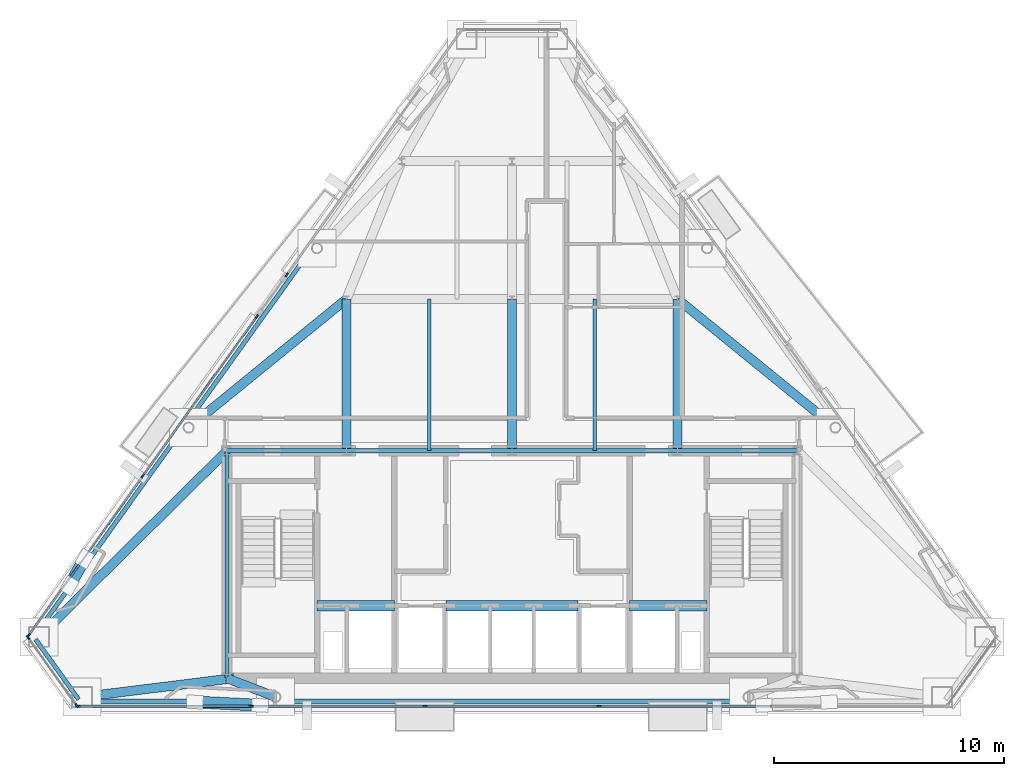
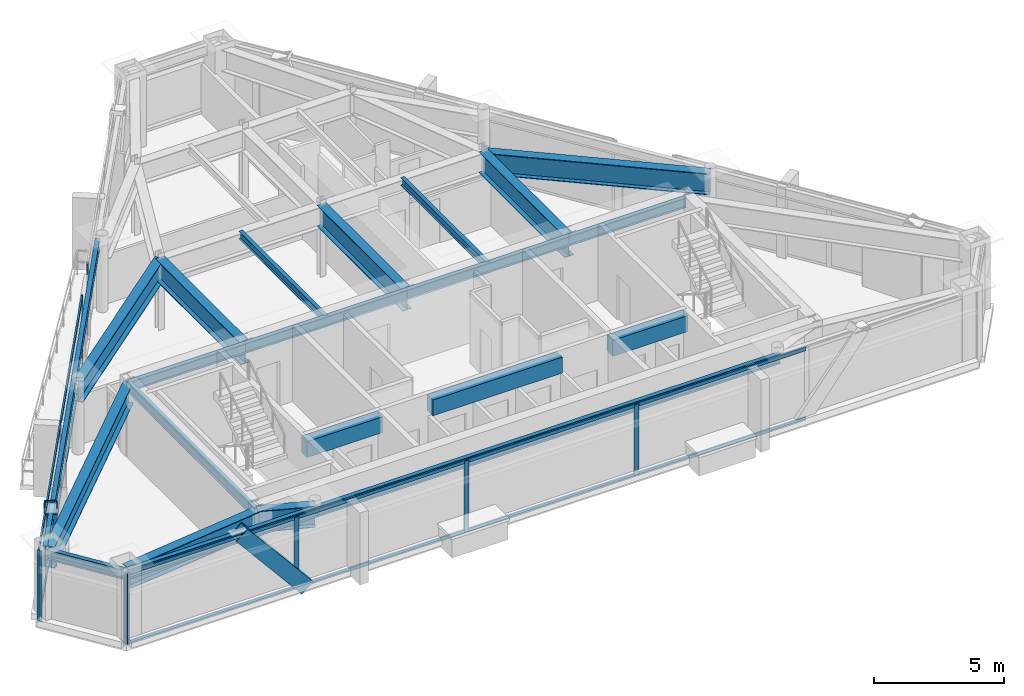
# One storey, part 4 of 11: 24 members, 23 beams, 4 elements without a shape of their own.
"""IFC4 building model written with IfcOpenShell, lengths in metres."""

from ifc_helpers import new_model, si_unit, direction, frame, origin, origin_2d, place, context, subcontext, project, spatial, rectangle, hollow_rectangle, i_section, extrude, material, layer, layer_set, material_profile, profile_set, type_object, element, aggregate, save


model = new_model("IFC4")

# Units and contexts
model_context = context("Model", 3, precision=1e-05, world=origin(), true_north=direction((0.0, 1.0)))
body_context = subcontext(model_context, "Body", "Model", "MODEL_VIEW")
ifc_project = project(units=[si_unit("LENGTHUNIT", "METRE"), si_unit("AREAUNIT", "SQUARE_METRE"), si_unit("VOLUMEUNIT", "CUBIC_METRE"), si_unit("PLANEANGLEUNIT", "RADIAN"), si_unit("MASSUNIT", "GRAM", prefix="KILO")], contexts=[model_context])

# Site, building, storey
site_placement = place(None, origin())
site = spatial("IfcSite", under=ifc_project, at=site_placement, CompositionType="ELEMENT")
building_placement = place(site_placement, origin())
building = spatial("IfcBuilding", under=site, at=building_placement, Name="Talgorran Terracotta Tower", CompositionType="ELEMENT")
storey_placement = place(building_placement, frame((0.0, 0.0, 274.199951171875)))
storey = spatial("IfcBuildingStorey", under=building, at=storey_placement, Name="L72", CompositionType="ELEMENT", Elevation=274.199951171875)

# Beams
ifc_material_1 = material(Name="Steel Grade 350 (350L0)", Category="steel")
ifc_material_profile_1 = material_profile(ifc_material_1, i_section(OverallWidth=0.39990234375, OverallDepth=1.0, WebThickness=0.01611328125, FlangeThickness=0.031005859375, at=origin_2d()), Name="1000WB296")
ifc_profile_set_1 = profile_set([ifc_material_profile_1], Name="Steel Grade 350 (350L0)")
beam_type_1 = type_object("IfcBeamType", Name="BM_1000WB296", PredefinedType="BEAM", material=ifc_profile_set_1)
beam_1_placement = place(storey_placement, frame((-10.29296875, -14.9189453125, 2.844970703125), z_axis=(-0.932081672707, 0.362248195859, 0.0), x_axis=(-0.362248195859, -0.932081672707, 0.0)))
element("IfcBeam", 1, at=beam_1_placement, inside=storey, type_object=beam_type_1, Name="L72 South-West Core Tie Beam", PredefinedType="BEAM", context=body_context, shape_type="SweptSolid", body=[
    extrude(i_section(OverallWidth=0.39990234375, OverallDepth=1.0, WebThickness=0.01611328125, FlangeThickness=0.031005859375, at=origin_2d()), origin(), (0.0, 0.0, 1.0), 2.260498046875),
])
beam_2_placement = place(storey_placement, frame((-18.71435546875, -14.9189453125, 2.844970703125), z_axis=(0.992423710786, 0.122862436364, 0.0), x_axis=(-0.122862436364, 0.992423710786, 0.0)))
element("IfcBeam", 2, at=beam_2_placement, inside=storey, type_object=beam_type_1, Name="L72 Perimeter Step Girder 2", PredefinedType="BEAM", context=body_context, shape_type="SweptSolid", body=[
    extrude(i_section(OverallWidth=0.39990234375, OverallDepth=1.0, WebThickness=0.01611328125, FlangeThickness=0.031005859375, at=origin_2d()), origin(), (0.0, 0.0, 1.0), 6.664794921875),
])
for number, where, z_axis, x_axis, name in (
    (3, (-7.199951171875, -4.199951171875, 2.844970703125), (0.0, 1.0, 0.0), (-1.0, 0.0, 0.0), "L72 Floor Girder G01"),
    (4, (0.0, -4.199951171875, 2.844970703125), (0.0, 1.0, 0.0), (-1.0, 0.0, 0.0), "L72 Floor Girder G02"),
    (5, (7.199951171875, -4.199951171875, 2.844970703125), (0.0, 1.0, 0.0), (-1.0, 0.0, 0.0), "L72 Floor Girder G03"),
):
    element("IfcBeam", number, at=place(storey_placement, frame(where, z_axis=z_axis, x_axis=x_axis)), inside=storey, type_object=beam_type_1, Name=name, PredefinedType="BEAM", context=body_context, shape_type="SweptSolid", body=[
        extrude(i_section(OverallWidth=0.39990234375, OverallDepth=1.0, WebThickness=0.01611328125, FlangeThickness=0.031005859375, at=origin_2d()), origin(), (0.0, 0.0, 1.0), 6.599853515625),
    ])
for number, where, z_axis, x_axis, name in (
    (6, (-7.199951171875, 2.39990234375, 2.844970703125), (-0.775393850299, -0.631477930667, 0.0), (0.631477930667, -0.775393850299, 0.0), "L72 Floor Girder G06"),
    (7, (7.199951171875, 2.39990234375, 2.844970703125), (0.775393850299, -0.631477930667, 0.0), (0.631477930667, 0.775393850299, 0.0), "L72 Floor Girder G07"),
):
    element("IfcBeam", number, at=place(storey_placement, frame(where, z_axis=z_axis, x_axis=x_axis)), inside=storey, type_object=beam_type_1, Name=name, PredefinedType="BEAM", context=body_context, shape_type="SweptSolid", body=[
        extrude(i_section(OverallWidth=0.39990234375, OverallDepth=1.0, WebThickness=0.01611328125, FlangeThickness=0.031005859375, at=origin_2d()), origin(), (0.0, 0.0, 1.0), 8.862060546875),
    ])
beam_3_placement = place(storey_placement, frame((-12.39990234375, -4.199951171875, 2.844970703125), z_axis=(-0.710637755688, -0.703558085868, 0.0), x_axis=(0.703558085868, -0.710637755688, 0.0)))
element("IfcBeam", 8, at=beam_3_placement, inside=storey, type_object=beam_type_1, Name="L72 Floor Girder G17", PredefinedType="BEAM", context=body_context, shape_type="SweptSolid", body=[
    extrude(i_section(OverallWidth=0.39990234375, OverallDepth=1.0, WebThickness=0.01611328125, FlangeThickness=0.031005859375, at=origin_2d()), origin(), (0.0, 0.0, 1.0), 11.517822265625),
])
ifc_material_2 = material(Name="Concrete C50/60", Category="concrete")
ifc_material_profile_2 = material_profile(ifc_material_2, rectangle(XDim=0.449951171875, YDim=0.75, at=origin_2d()), Name="RCCB450X750")
ifc_profile_set_2 = profile_set([ifc_material_profile_2], Name="Concrete C50/60")
beam_type_2 = type_object("IfcBeamType", Name="BM_CB_450X750", PredefinedType="LINTEL", material=ifc_profile_set_2)
beam_4_placement = place(storey_placement, frame((-8.47998046875, -10.949951171875, 2.969970703125), z_axis=(1.0, 0.0, 0.0), x_axis=(0.0, 1.0, 0.0)))
element("IfcBeam", 9, at=beam_4_placement, inside=storey, type_object=beam_type_2, Name="L72 Core Shear-Wall Coupling Beam CB1", PredefinedType="LINTEL", context=body_context, shape_type="SweptSolid", body=[
    extrude(rectangle(XDim=0.449951171875, YDim=0.75, at=origin_2d()), origin(), (0.0, 0.0, 1.0), 3.35986328125),
])
beam_5_placement = place(storey_placement, frame((-2.8798828125, -10.949951171875, 2.969970703125), z_axis=(1.0, 0.0, 0.0), x_axis=(0.0, 1.0, 0.0)))
element("IfcBeam", 10, at=beam_5_placement, inside=storey, type_object=beam_type_2, Name="L72 Core Shear-Wall Coupling Beam CB2", PredefinedType="LINTEL", context=body_context, shape_type="SweptSolid", body=[
    extrude(rectangle(XDim=0.449951171875, YDim=0.75, at=origin_2d()), origin(), (0.0, 0.0, 1.0), 5.759765625),
])
beam_6_placement = place(storey_placement, frame((5.1201171875, -10.949951171875, 2.969970703125), z_axis=(1.0, 0.0, 0.0), x_axis=(0.0, 1.0, 0.0)))
element("IfcBeam", 11, at=beam_6_placement, inside=storey, type_object=beam_type_2, Name="L72 Core Shear-Wall Coupling Beam CB3", PredefinedType="LINTEL", context=body_context, shape_type="SweptSolid", body=[
    extrude(rectangle(XDim=0.449951171875, YDim=0.75, at=origin_2d()), origin(), (0.0, 0.0, 1.0), 3.35986328125),
])
ifc_material_3 = material(Name="Steel S355 (300PLUS)", Category="steel")
ifc_material_profile_3 = material_profile(ifc_material_3, i_section(OverallWidth=0.17138671875, OverallDepth=0.355712890625, WebThickness=0.00732421875, FlangeThickness=0.011474609375, at=origin_2d()), Name="360UB50.7")
ifc_profile_set_3 = profile_set([ifc_material_profile_3], Name="Steel S355 (300PLUS)")
beam_type_3 = type_object("IfcBeamType", Name="BM_JS_360UB51", PredefinedType="JOIST", material=ifc_profile_set_3)
for number, where, z_axis, x_axis, name in (
    (12, (-3.60009765625, -4.199951171875, 3.167236328125), (0.0, 1.0, 0.0), (-1.0, 0.0, 0.0), "L72 Secondary Joist J01"),
    (13, (3.60009765625, -4.199951171875, 3.167236328125), (0.0, 1.0, 0.0), (-1.0, 0.0, 0.0), "L72 Secondary Joist J02"),
):
    element("IfcBeam", number, at=place(storey_placement, frame(where, z_axis=z_axis, x_axis=x_axis)), inside=storey, type_object=beam_type_3, Name=name, PredefinedType="JOIST", context=body_context, shape_type="SweptSolid", body=[
        extrude(i_section(OverallWidth=0.17138671875, OverallDepth=0.355712890625, WebThickness=0.00732421875, FlangeThickness=0.011474609375, at=origin_2d()), origin(), (0.0, 0.0, 1.0), 6.599853515625),
    ])
ifc_material_profile_4 = material_profile(ifc_material_3, i_section(OverallWidth=0.18994140625, OverallDepth=0.45703125, WebThickness=0.009033203125, FlangeThickness=0.014404296875, at=origin_2d()), Name="460UB74.6")
ifc_profile_set_4 = profile_set([ifc_material_profile_4], Name="Steel S355 (300PLUS)")
beam_type_4 = type_object("IfcBeamType", Name="BM_SP_460UB74", PredefinedType="SPANDREL", material=ifc_profile_set_4)
beam_7_placement = place(storey_placement, frame((-20.731201171875, -12.408203125, 3.116455078125), z_axis=(0.581733647308, -0.8133793479, 0.0), x_axis=(0.8133793479, 0.581733647308, 0.0)))
element("IfcBeam", 14, at=beam_7_placement, inside=storey, type_object=beam_type_4, Name="L72 Perimeter Spandrel Beam MC1-MC2", PredefinedType="SPANDREL", context=body_context, shape_type="SweptSolid", body=[
    extrude(i_section(OverallWidth=0.18994140625, OverallDepth=0.45703125, WebThickness=0.009033203125, FlangeThickness=0.014404296875, at=origin_2d()), origin(), (0.0, 0.0, 1.0), 3.215576171875),
])
beam_8_placement = place(storey_placement, frame((-18.71435546875, -15.098876953125, 3.116455078125), z_axis=(1.0, 0.0, 0.0), x_axis=(0.0, 1.0, 0.0)))
element("IfcBeam", 15, at=beam_8_placement, inside=storey, type_object=beam_type_4, Name="L72 Perimeter Spandrel Beam MC2-FC1", PredefinedType="SPANDREL", context=body_context, shape_type="SweptSolid", body=[
    extrude(i_section(OverallWidth=0.18994140625, OverallDepth=0.45703125, WebThickness=0.009033203125, FlangeThickness=0.014404296875, at=origin_2d()), origin(), (0.0, 0.0, 1.0), 8.42138671875),
])
beam_9_placement = place(storey_placement, frame((-10.29296875, -15.098876953125, 3.116455078125), z_axis=(1.0, 0.0, 0.0), x_axis=(0.0, 1.0, 0.0)))
element("IfcBeam", 16, at=beam_9_placement, inside=storey, type_object=beam_type_4, Name="L72 Perimeter Spandrel Beam FC1-FC2", PredefinedType="SPANDREL", context=body_context, shape_type="SweptSolid", body=[
    extrude(i_section(OverallWidth=0.18994140625, OverallDepth=0.45703125, WebThickness=0.009033203125, FlangeThickness=0.014404296875, at=origin_2d()), origin(), (0.0, 0.0, 1.0), 20.5859375),
])
beam_10_placement = place(storey_placement, frame((-8.635009765625, 4.71435546875, 3.116455078125), z_axis=(-0.581733798122, -0.813379240037, 0.0), x_axis=(0.813379240037, -0.581733798122, 0.0)))
element("IfcBeam", 17, at=beam_10_placement, inside=storey, type_object=beam_type_4, Name="L72 Perimeter Spandrel Beam FC5-FC6", PredefinedType="SPANDREL", context=body_context, shape_type="SweptSolid", body=[
    extrude(i_section(OverallWidth=0.18994140625, OverallDepth=0.45703125, WebThickness=0.009033203125, FlangeThickness=0.014404296875, at=origin_2d()), origin(), (0.0, 0.0, 1.0), 9.59716796875),
])
beam_11_placement = place(storey_placement, frame((-14.218017578125, -3.091796875, 3.116455078125), z_axis=(-0.581724880889, -0.813385617622, 0.0), x_axis=(0.813385617622, -0.581724880889, 0.0)))
element("IfcBeam", 18, at=beam_11_placement, inside=storey, type_object=beam_type_4, Name="L72 Perimeter Spandrel Beam FC6-MC1", PredefinedType="SPANDREL", context=body_context, shape_type="SweptSolid", body=[
    extrude(i_section(OverallWidth=0.18994140625, OverallDepth=0.45703125, WebThickness=0.009033203125, FlangeThickness=0.014404296875, at=origin_2d()), origin(), (0.0, 0.0, 1.0), 11.1962890625),
])
beam_12_placement = place(storey_placement, frame((-12.39990234375, -14.10009765625, 3.116455078125), z_axis=(0.0, 1.0, 0.0), x_axis=(-1.0, 0.0, 0.0)))
element("IfcBeam", 19, at=beam_12_placement, inside=storey, type_object=beam_type_4, Name="L72 Core Frame Beam CFW", PredefinedType="SPANDREL", context=body_context, shape_type="SweptSolid", body=[
    extrude(i_section(OverallWidth=0.18994140625, OverallDepth=0.45703125, WebThickness=0.009033203125, FlangeThickness=0.014404296875, at=origin_2d()), origin(), (0.0, 0.0, 1.0), 9.900146484375),
])
beam_13_placement = place(storey_placement, frame((-12.39990234375, -4.199951171875, 3.116455078125), z_axis=(1.0, 0.0, 0.0), x_axis=(0.0, 1.0, 0.0)))
element("IfcBeam", 20, at=beam_13_placement, inside=storey, type_object=beam_type_4, Name="L72 Core Frame Beam CFN1", PredefinedType="SPANDREL", context=body_context, shape_type="SweptSolid", body=[
    extrude(i_section(OverallWidth=0.18994140625, OverallDepth=0.45703125, WebThickness=0.009033203125, FlangeThickness=0.014404296875, at=origin_2d()), origin(), (0.0, 0.0, 1.0), 5.199951171875),
])
for number, where, z_axis, x_axis, name in (
    (21, (-7.199951171875, -4.199951171875, 3.116455078125), (1.0, 0.0, 0.0), (0.0, 1.0, 0.0), "L72 Core Frame Beam CFN2"),
    (22, (0.0, -4.199951171875, 3.116455078125), (1.0, 0.0, 0.0), (0.0, 1.0, 0.0), "L72 Core Frame Beam CFN3"),
):
    element("IfcBeam", number, at=place(storey_placement, frame(where, z_axis=z_axis, x_axis=x_axis)), inside=storey, type_object=beam_type_4, Name=name, PredefinedType="SPANDREL", context=body_context, shape_type="SweptSolid", body=[
        extrude(i_section(OverallWidth=0.18994140625, OverallDepth=0.45703125, WebThickness=0.009033203125, FlangeThickness=0.014404296875, at=origin_2d()), origin(), (0.0, 0.0, 1.0), 7.199951171875),
    ])
beam_14_placement = place(storey_placement, frame((7.199951171875, -4.199951171875, 3.116455078125), z_axis=(1.0, 0.0, 0.0), x_axis=(0.0, 1.0, 0.0)))
element("IfcBeam", 23, at=beam_14_placement, inside=storey, type_object=beam_type_4, Name="L72 Core Frame Beam CFN4", PredefinedType="SPANDREL", context=body_context, shape_type="SweptSolid", body=[
    extrude(i_section(OverallWidth=0.18994140625, OverallDepth=0.45703125, WebThickness=0.009033203125, FlangeThickness=0.014404296875, at=origin_2d()), origin(), (0.0, 0.0, 1.0), 5.199951171875),
])

# Members
ifc_material_profile_5 = material_profile(ifc_material_1, hollow_rectangle(XDim=0.52001953125, YDim=0.659912109375, WallThickness=0.034912109375, at=origin_2d()), Name="WBOX660X520X35")
ifc_profile_set_5 = profile_set([ifc_material_profile_5], Name="Steel Grade 350 (350L0)")
member_type_1 = type_object("IfcMemberType", Name="MB_MEGA_660", PredefinedType="BRACE", material=ifc_profile_set_5)
member_1_placement = place(storey_placement, frame((-10.961669921875, -15.27880859375, -0.02490234375), z_axis=(-0.641393938634, 0.032576814862, 0.766519775751), x_axis=(-0.050725264119, -0.998712645149, 0.0)))
element("IfcMember", 24, at=member_1_placement, inside=storey, type_object=member_type_1, Name="L72 Exterior Face Mega-Brace MB-3 (SWF)", PredefinedType="BRACE", context=body_context, shape_type="SweptSolid", body=[
    extrude(hollow_rectangle(XDim=0.52001953125, YDim=0.659912109375, WallThickness=0.034912109375, at=origin_2d()), origin(), (0.0, 0.0, 1.0), 4.42919921875),
])
member_2_placement = place(storey_placement, frame((-18.593505859375, -8.900390625, -0.02490234375), z_axis=(-0.182497886577, -0.322176905916, 0.92892225869), x_axis=(0.870102136053, -0.492871456707, 0.0)))
element("IfcMember", 25, at=member_2_placement, inside=storey, type_object=member_type_1, Name="L72 Exterior Face Mega-Brace MB-3 (NWL)", PredefinedType="BRACE", context=body_context, shape_type="SweptSolid", body=[
    extrude(hollow_rectangle(XDim=0.52001953125, YDim=0.659912109375, WallThickness=0.034912109375, at=origin_2d()), origin(), (0.0, 0.0, 1.0), 3.65478515625),
])

# Curtain wall, members
ifc_material_4 = material(Name="High-Wind Unitised Glazing", Category="glass")
ifc_layer = layer(ifc_material_4, 0.2099609375, Name="CW_SYS3_RES_HIGH")
ifc_layer_set = layer_set([ifc_layer], Name="High-Wind Unitised Glazing")
curtain_wall_type = type_object("IfcCurtainWallType", Name="CW_SYS3_RES_HIGH", PredefinedType="NOTDEFINED", material=ifc_layer_set)
curtain_wall_1_placement = place(storey_placement, origin())
curtain_wall_1 = element("IfcCurtainWall", 26, at=curtain_wall_1_placement, inside=storey, type_object=curtain_wall_type, Name="CW-L72-F0", PredefinedType="NOTDEFINED")
ifc_material_5 = material(Name="Architectural Aluminium 6063-T6", Category="aluminium")
ifc_material_profile_6 = material_profile(ifc_material_5, rectangle(XDim=0.070068359375, YDim=0.199951171875, at=origin_2d()), Name="CWM70X200")
ifc_profile_set_6 = profile_set([ifc_material_profile_6], Name="Architectural Aluminium 6063-T6")
member_type_2 = type_object("IfcMemberType", Name="MUL_70X200", PredefinedType="MULLION", material=ifc_profile_set_6)
member_3_placement = place(storey_placement, frame((-21.056396484375, -12.33203125, 0.0), z_axis=(0.0, 0.0, 1.0), x_axis=(0.813370623345, 0.581745845777, 0.0)))
member_3 = element("IfcMember", 27, at=member_3_placement, type_object=member_type_2, Name="CW-L72-0 mullion 1", PredefinedType="MULLION", context=body_context, shape_type="SweptSolid", body=[
    extrude(rectangle(XDim=0.070068359375, YDim=0.199951171875, at=origin_2d()), origin(), (0.0, 0.0, 1.0), 3.344970703125),
])
member_4_placement = place(storey_placement, frame((-18.9404296875, -15.29052734375, 0.0), z_axis=(0.0, 0.0, 1.0), x_axis=(0.813370623345, 0.581745845777, 0.0)))
member_4 = element("IfcMember", 28, at=member_4_placement, type_object=member_type_2, Name="CW-L72-0 mullion 2", PredefinedType="MULLION", context=body_context, shape_type="SweptSolid", body=[
    extrude(rectangle(XDim=0.070068359375, YDim=0.199951171875, at=origin_2d()), origin(), (0.0, 0.0, 1.0), 3.344970703125),
])
aggregate(curtain_wall_1, [member_3, member_4])

curtain_wall_2_placement = place(storey_placement, origin())
curtain_wall_2 = element("IfcCurtainWall", 29, at=curtain_wall_2_placement, inside=storey, type_object=curtain_wall_type, Name="CW-L72-F1", PredefinedType="NOTDEFINED")
member_5_placement = place(storey_placement, frame((-18.885009765625, -15.31884765625, 0.0), z_axis=(0.0, 0.0, 1.0), x_axis=(0.0, 1.0, 0.0)))
member_5 = element("IfcMember", 30, at=member_5_placement, type_object=member_type_2, Name="CW-L72-1 mullion 1", PredefinedType="MULLION", context=body_context, shape_type="SweptSolid", body=[
    extrude(rectangle(XDim=0.070068359375, YDim=0.199951171875, at=origin_2d()), origin(), (0.0, 0.0, 1.0), 3.344970703125),
])
member_6_placement = place(storey_placement, frame((-11.35205078125, -15.31884765625, 0.0), z_axis=(0.0, 0.0, 1.0), x_axis=(0.0, 1.0, 0.0)))
member_6 = element("IfcMember", 31, at=member_6_placement, type_object=member_type_2, Name="CW-L72-1 mullion 2", PredefinedType="MULLION", context=body_context, shape_type="SweptSolid", body=[
    extrude(rectangle(XDim=0.070068359375, YDim=0.199951171875, at=origin_2d()), origin(), (0.0, 0.0, 1.0), 3.344970703125),
])
member_7_placement = place(storey_placement, frame((-3.783935546875, -15.31884765625, 0.0), z_axis=(0.0, 0.0, 1.0), x_axis=(0.0, 1.0, 0.0)))
member_7 = element("IfcMember", 32, at=member_7_placement, type_object=member_type_2, Name="CW-L72-1 mullion 3", PredefinedType="MULLION", context=body_context, shape_type="SweptSolid", body=[
    extrude(rectangle(XDim=0.070068359375, YDim=0.199951171875, at=origin_2d()), origin(), (0.0, 0.0, 1.0), 3.344970703125),
])
member_8_placement = place(storey_placement, frame((3.783935546875, -15.31884765625, 0.0), z_axis=(0.0, 0.0, 1.0), x_axis=(0.0, 1.0, 0.0)))
member_8 = element("IfcMember", 33, at=member_8_placement, type_object=member_type_2, Name="CW-L72-1 mullion 4", PredefinedType="MULLION", context=body_context, shape_type="SweptSolid", body=[
    extrude(rectangle(XDim=0.070068359375, YDim=0.199951171875, at=origin_2d()), origin(), (0.0, 0.0, 1.0), 3.344970703125),
])

# Curtain wall, member
curtain_wall_3_placement = place(storey_placement, origin())
curtain_wall_3 = element("IfcCurtainWall", 34, at=curtain_wall_3_placement, inside=storey, type_object=curtain_wall_type, Name="CW-L72-F60", PredefinedType="NOTDEFINED")
member_9_placement = place(storey_placement, frame((-9.8046875, 3.457275390625, 0.0), z_axis=(0.0, 0.0, 1.0), x_axis=(0.813381052188, -0.581731264367, 0.0)))
member_9 = element("IfcMember", 35, at=member_9_placement, type_object=member_type_2, Name="CW-L72-60 mullion 3", PredefinedType="MULLION", context=body_context, shape_type="SweptSolid", body=[
    extrude(rectangle(XDim=0.070068359375, YDim=0.199951171875, at=origin_2d()), origin(), (0.0, 0.0, 1.0), 3.344970703125),
])
aggregate(curtain_wall_3, [member_9])

# Curtain wall, members
curtain_wall_4_placement = place(storey_placement, origin())
curtain_wall_4 = element("IfcCurtainWall", 36, at=curtain_wall_4_placement, inside=storey, type_object=curtain_wall_type, Name="CW-L72-F61", PredefinedType="NOTDEFINED")
member_10_placement = place(storey_placement, frame((-11.101806640625, 1.643310546875, 0.0), z_axis=(0.0, 0.0, 1.0), x_axis=(0.813381329053, -0.581730877251, 0.0)))
member_10 = element("IfcMember", 37, at=member_10_placement, type_object=member_type_2, Name="CW-L72-61 mullion 1", PredefinedType="MULLION", context=body_context, shape_type="SweptSolid", body=[
    extrude(rectangle(XDim=0.070068359375, YDim=0.199951171875, at=origin_2d()), origin(), (0.0, 0.0, 1.0), 3.344970703125),
])
member_11_placement = place(storey_placement, frame((-16.0673828125, -5.299560546875, 0.0), z_axis=(0.0, 0.0, 1.0), x_axis=(0.813381329053, -0.581730877251, 0.0)))
member_11 = element("IfcMember", 38, at=member_11_placement, type_object=member_type_2, Name="CW-L72-61 mullion 2", PredefinedType="MULLION", context=body_context, shape_type="SweptSolid", body=[
    extrude(rectangle(XDim=0.070068359375, YDim=0.199951171875, at=origin_2d()), origin(), (0.0, 0.0, 1.0), 3.344970703125),
])
member_12_placement = place(storey_placement, frame((-21.032958984375, -12.242431640625, 0.0), z_axis=(0.0, 0.0, 1.0), x_axis=(0.813381329053, -0.581730877251, 0.0)))
member_12 = element("IfcMember", 39, at=member_12_placement, type_object=member_type_2, Name="CW-L72-61 mullion 3", PredefinedType="MULLION", context=body_context, shape_type="SweptSolid", body=[
    extrude(rectangle(XDim=0.070068359375, YDim=0.199951171875, at=origin_2d()), origin(), (0.0, 0.0, 1.0), 3.344970703125),
])

# Member
ifc_material_profile_7 = material_profile(ifc_material_5, rectangle(XDim=0.070068359375, YDim=0.159912109375, at=origin_2d()), Name="CWT70X160")
ifc_profile_set_7 = profile_set([ifc_material_profile_7], Name="Architectural Aluminium 6063-T6")
member_type_3 = type_object("IfcMemberType", Name="TRN_70X160", PredefinedType="USERDEFINED", material=ifc_profile_set_7)
member_13_placement = place(storey_placement, frame((-18.85009765625, -15.31884765625, 0.03515625), z_axis=(1.0, 0.0, 0.0), x_axis=(0.0, 1.0, 0.0)))
member_13 = element("IfcMember", 40, at=member_13_placement, type_object=member_type_3, Name="CW-L72-1 transom 1.1", ObjectType="TRANSOM", PredefinedType="USERDEFINED", context=body_context, shape_type="SweptSolid", body=[
    extrude(rectangle(XDim=0.070068359375, YDim=0.159912109375, at=origin_2d()), origin(), (0.0, 0.0, 1.0), 7.463134765625),
])

member_14_placement = place(storey_placement, frame((-18.85009765625, -15.31884765625, 3.31005859375), z_axis=(1.0, 0.0, 0.0), x_axis=(0.0, 1.0, 0.0)))
member_14 = element("IfcMember", 41, at=member_14_placement, type_object=member_type_3, Name="CW-L72-1 transom 1.2", ObjectType="TRANSOM", PredefinedType="USERDEFINED", context=body_context, shape_type="SweptSolid", body=[
    extrude(rectangle(XDim=0.070068359375, YDim=0.159912109375, at=origin_2d()), origin(), (0.0, 0.0, 1.0), 7.463134765625),
])

member_15_placement = place(storey_placement, frame((-11.31689453125, -15.31884765625, 0.03515625), z_axis=(1.0, 0.0, 0.0), x_axis=(0.0, 1.0, 0.0)))
member_15 = element("IfcMember", 42, at=member_15_placement, type_object=member_type_3, Name="CW-L72-1 transom 2.1", ObjectType="TRANSOM", PredefinedType="USERDEFINED", context=body_context, shape_type="SweptSolid", body=[
    extrude(rectangle(XDim=0.070068359375, YDim=0.159912109375, at=origin_2d()), origin(), (0.0, 0.0, 1.0), 7.497802734375),
])

member_16_placement = place(storey_placement, frame((-11.31689453125, -15.31884765625, 3.31005859375), z_axis=(1.0, 0.0, 0.0), x_axis=(0.0, 1.0, 0.0)))
member_16 = element("IfcMember", 43, at=member_16_placement, type_object=member_type_3, Name="CW-L72-1 transom 2.2", ObjectType="TRANSOM", PredefinedType="USERDEFINED", context=body_context, shape_type="SweptSolid", body=[
    extrude(rectangle(XDim=0.070068359375, YDim=0.159912109375, at=origin_2d()), origin(), (0.0, 0.0, 1.0), 7.497802734375),
])

member_17_placement = place(storey_placement, frame((-3.7490234375, -15.31884765625, 0.03515625), z_axis=(1.0, 0.0, 0.0), x_axis=(0.0, 1.0, 0.0)))
member_17 = element("IfcMember", 44, at=member_17_placement, type_object=member_type_3, Name="CW-L72-1 transom 3.1", ObjectType="TRANSOM", PredefinedType="USERDEFINED", context=body_context, shape_type="SweptSolid", body=[
    extrude(rectangle(XDim=0.070068359375, YDim=0.159912109375, at=origin_2d()), origin(), (0.0, 0.0, 1.0), 7.498046875),
])

member_18_placement = place(storey_placement, frame((-3.7490234375, -15.31884765625, 3.31005859375), z_axis=(1.0, 0.0, 0.0), x_axis=(0.0, 1.0, 0.0)))
member_18 = element("IfcMember", 45, at=member_18_placement, type_object=member_type_3, Name="CW-L72-1 transom 3.2", ObjectType="TRANSOM", PredefinedType="USERDEFINED", context=body_context, shape_type="SweptSolid", body=[
    extrude(rectangle(XDim=0.070068359375, YDim=0.159912109375, at=origin_2d()), origin(), (0.0, 0.0, 1.0), 7.498046875),
])

member_19_placement = place(storey_placement, frame((3.819091796875, -15.31884765625, 0.03515625), z_axis=(1.0, 0.0, 0.0), x_axis=(0.0, 1.0, 0.0)))
member_19 = element("IfcMember", 46, at=member_19_placement, type_object=member_type_3, Name="CW-L72-1 transom 4.1", ObjectType="TRANSOM", PredefinedType="USERDEFINED", context=body_context, shape_type="SweptSolid", body=[
    extrude(rectangle(XDim=0.070068359375, YDim=0.159912109375, at=origin_2d()), origin(), (0.0, 0.0, 1.0), 7.497802734375),
])

member_20_placement = place(storey_placement, frame((3.819091796875, -15.31884765625, 3.31005859375), z_axis=(1.0, 0.0, 0.0), x_axis=(0.0, 1.0, 0.0)))
member_20 = element("IfcMember", 47, at=member_20_placement, type_object=member_type_3, Name="CW-L72-1 transom 4.2", ObjectType="TRANSOM", PredefinedType="USERDEFINED", context=body_context, shape_type="SweptSolid", body=[
    extrude(rectangle(XDim=0.070068359375, YDim=0.159912109375, at=origin_2d()), origin(), (0.0, 0.0, 1.0), 7.497802734375),
])

aggregate(curtain_wall_2, [member_5, member_6, member_7, member_8, member_13, member_14, member_15, member_16, member_17, member_18, member_19, member_20])

member_21_placement = place(storey_placement, frame((-11.122314453125, 1.61474609375, 0.03515625), z_axis=(-0.581726391807, -0.813384537027, 0.0), x_axis=(0.813384537027, -0.581726391807, 0.0)))
member_21 = element("IfcMember", 48, at=member_21_placement, type_object=member_type_3, Name="CW-L72-61 transom 1.1", ObjectType="TRANSOM", PredefinedType="USERDEFINED", context=body_context, shape_type="SweptSolid", body=[
    extrude(rectangle(XDim=0.070068359375, YDim=0.159912109375, at=origin_2d()), origin(), (0.0, 0.0, 1.0), 8.4658203125),
])

member_22_placement = place(storey_placement, frame((-11.122314453125, 1.61474609375, 3.31005859375), z_axis=(-0.581726391807, -0.813384537027, 0.0), x_axis=(0.813384537027, -0.581726391807, 0.0)))
member_22 = element("IfcMember", 49, at=member_22_placement, type_object=member_type_3, Name="CW-L72-61 transom 1.2", ObjectType="TRANSOM", PredefinedType="USERDEFINED", context=body_context, shape_type="SweptSolid", body=[
    extrude(rectangle(XDim=0.070068359375, YDim=0.159912109375, at=origin_2d()), origin(), (0.0, 0.0, 1.0), 8.4658203125),
])

member_23_placement = place(storey_placement, frame((-16.087890625, -5.328125, 0.03515625), z_axis=(-0.581726391807, -0.813384537027, 0.0), x_axis=(0.813384537027, -0.581726391807, 0.0)))
member_23 = element("IfcMember", 50, at=member_23_placement, type_object=member_type_3, Name="CW-L72-61 transom 2.1", ObjectType="TRANSOM", PredefinedType="USERDEFINED", context=body_context, shape_type="SweptSolid", body=[
    extrude(rectangle(XDim=0.070068359375, YDim=0.159912109375, at=origin_2d()), origin(), (0.0, 0.0, 1.0), 8.4658203125),
])

member_24_placement = place(storey_placement, frame((-16.087890625, -5.328125, 3.31005859375), z_axis=(-0.581726391807, -0.813384537027, 0.0), x_axis=(0.813384537027, -0.581726391807, 0.0)))
member_24 = element("IfcMember", 51, at=member_24_placement, type_object=member_type_3, Name="CW-L72-61 transom 2.2", ObjectType="TRANSOM", PredefinedType="USERDEFINED", context=body_context, shape_type="SweptSolid", body=[
    extrude(rectangle(XDim=0.070068359375, YDim=0.159912109375, at=origin_2d()), origin(), (0.0, 0.0, 1.0), 8.4658203125),
])

aggregate(curtain_wall_4, [member_10, member_11, member_12, member_21, member_22, member_23, member_24])

save(model, "model.ifc")
